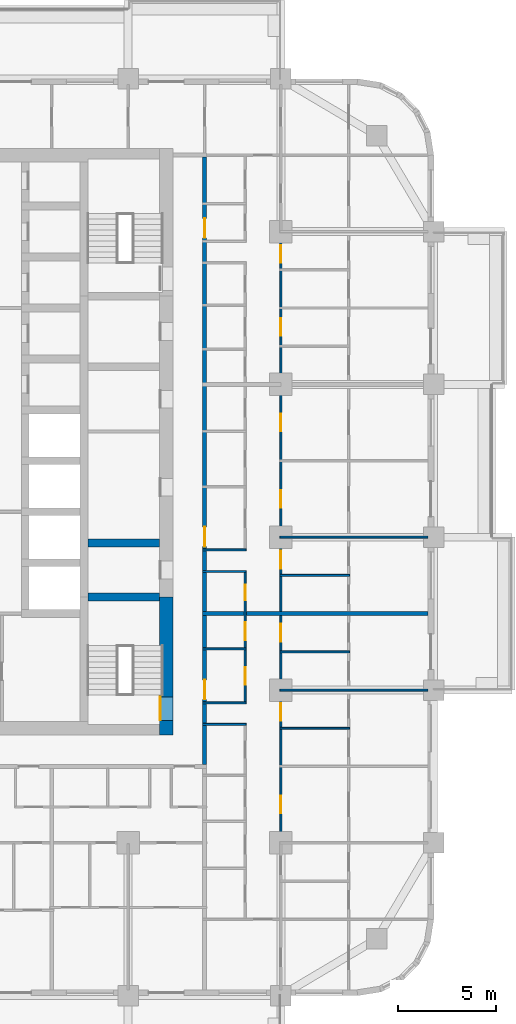
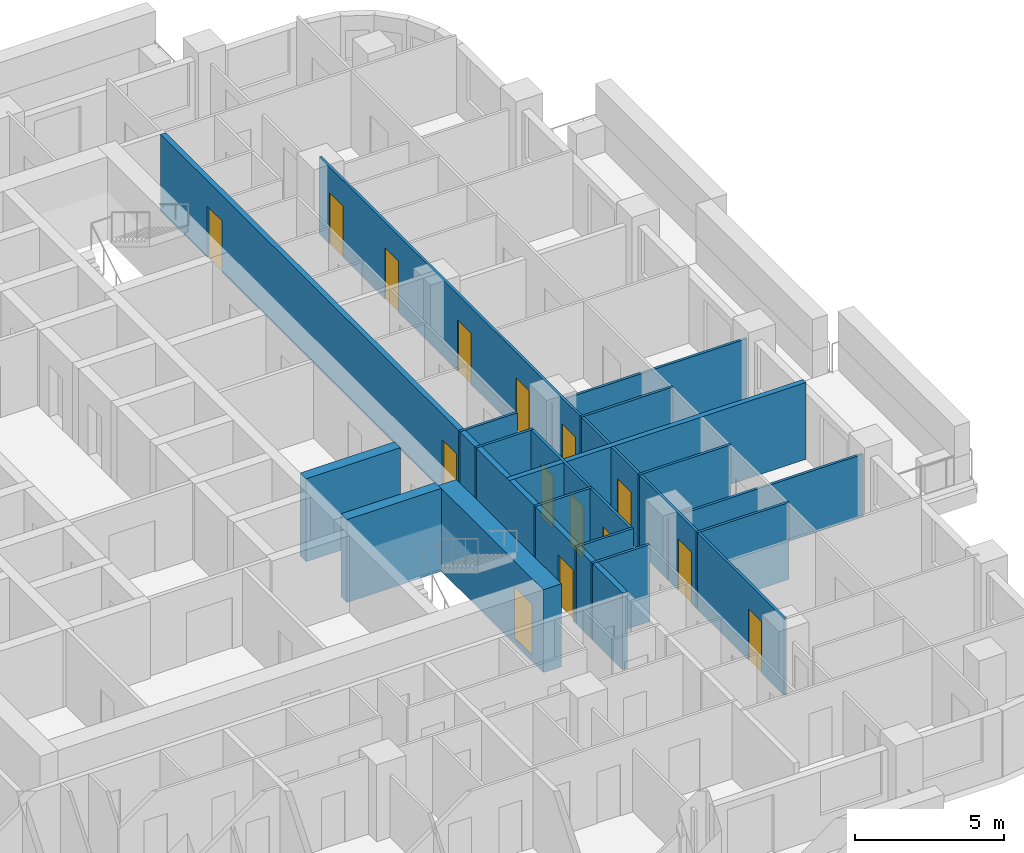
# One storey, part 8 of 17: 17 walls, 15 doors, 15 openings.
"""IFC4 building model written with IfcOpenShell, lengths in metres."""

from ifc_helpers import new_model, si_unit, direction, frame, frame_2d, origin, place, context, subcontext, project, spatial, rectangle, extrude, material, layer, layer_set, type_object, element, fill, save


model = new_model("IFC4")

# Units and contexts
model_context = context("Model", 3, precision=1e-05, world=origin(), true_north=direction((0.0, 1.0)))
body_context = subcontext(model_context, "Body", "Model", "MODEL_VIEW")
ifc_project = project(units=[si_unit("LENGTHUNIT", "METRE"), si_unit("AREAUNIT", "SQUARE_METRE"), si_unit("VOLUMEUNIT", "CUBIC_METRE"), si_unit("PLANEANGLEUNIT", "RADIAN"), si_unit("MASSUNIT", "GRAM", prefix="KILO")], contexts=[model_context])

# Site, building, storey
site_placement = place(None, origin())
site = spatial("IfcSite", under=ifc_project, at=site_placement, CompositionType="ELEMENT")
building_placement = place(site_placement, origin())
building = spatial("IfcBuilding", under=site, at=building_placement, Name="Ludao Terraces", CompositionType="ELEMENT")
storey_placement = place(building_placement, frame((0.0, 0.0, 39.89990234375)))
storey = spatial("IfcBuildingStorey", under=building, at=storey_placement, Name="L10", CompositionType="ELEMENT", Elevation=39.89990234375)

# Wall, opening, door
ifc_material_1 = material(Name="Concrete C70", Category="concrete")
ifc_layer_1 = layer(ifc_material_1, 0.699951171875)
ifc_layer_set_1 = layer_set([ifc_layer_1], Name="Core wall 700 C70")
wall_type_1 = type_object("IfcWallType", Name="Core wall 700 C70", PredefinedType="SOLIDWALL", material=ifc_layer_set_1)
wall_1_placement = place(storey_placement, frame((94.75, 54.89990234375, -0.25), z_axis=(0.0, 0.0, 1.0), x_axis=(0.0, 1.0, 0.0)))
wall_1 = element("IfcWall", 1, at=wall_1_placement, inside=storey, type_object=wall_type_1, Name="Core wall L10 outer-E-S3", PredefinedType="SOLIDWALL", context=body_context, shape_type="SweptSolid", body=[
    extrude(rectangle(XDim=7.050048828125, YDim=0.699951171875, at=frame_2d((3.52490234375, 0.0))), origin(), (0.0, 0.0, 1.0), 3.400146484375),
])
opening_1_placement = place(wall_1_placement, frame((0.75, 0.0, 0.25)))
opening_1 = element("IfcOpeningElement", 2, at=opening_1_placement, cuts=wall_1, Name="Opening R03-059", PredefinedType="OPENING", context=body_context, shape_type="SweptSolid", body=[
    extrude(rectangle(XDim=1.199951171875, YDim=2.10009765625, at=frame_2d((0.60009765625, 1.050048828125))), frame((0.0, 0.35986328125, 0.0), z_axis=(0.0, -1.0, 0.0), x_axis=(1.0, 0.0, 0.0)), (0.0, 0.0, 1.0), 0.719970703125),
])
ifc_material_2 = material(Name="Steel Q235", Category="steel")
door_type_1 = type_object("IfcDoorType", Name="INT Stair door 1200", OperationType="DOUBLE_DOOR_SINGLE_SWING", PredefinedType="DOOR", material=ifc_material_2)
door_1_placement = place(opening_1_placement, origin())
door_1 = element("IfcDoor", 3, at=door_1_placement, inside=storey, type_object=door_type_1, Name="DOOR 059", OperationType="DOUBLE_DOOR_SINGLE_SWING", OverallHeight=2.10009765625, OverallWidth=1.199951171875, PredefinedType="DOOR", context=body_context, shape_type="SweptSolid", body=[
    extrude(rectangle(XDim=1.199951171875, YDim=2.10009765625, at=frame_2d((0.60009765625, 1.050048828125))), frame((0.0, 0.3349609375, 0.0), z_axis=(0.0, -1.0, 0.0), x_axis=(1.0, 0.0, 0.0)), (0.0, 0.0, 1.0), 0.050048828125),
])
fill(opening_1, door_1)

# Wall, openings, doors
ifc_material_3 = material(Name="Autoclaved aerated concrete block B06 A3.5", Category="concrete")
ifc_layer_2 = layer(ifc_material_3, 0.199951171875)
ifc_layer_set_2 = layer_set([ifc_layer_2], Name="INT Entrance wall 200")
wall_type_2 = type_object("IfcWallType", Name="INT Entrance wall 200", PredefinedType="PARTITIONING", material=ifc_layer_set_2)
wall_2_placement = place(storey_placement, frame((96.699951171875, 53.400146484375, 0.0), z_axis=(0.0, 0.0, 1.0), x_axis=(0.0, 1.0, 0.0)))
wall_2 = element("IfcWall", 4, at=wall_2_placement, inside=storey, type_object=wall_type_2, Name="PW-L10-PW117", PredefinedType="PARTITIONING", context=body_context, shape_type="SweptSolid", body=[
    extrude(rectangle(XDim=31.0, YDim=0.199951171875, at=frame_2d((15.5, 0.0))), origin(), (0.0, 0.0, 1.0), 3.150146484375),
])
opening_2_placement = place(wall_2_placement, frame((3.324951171875, 0.0, 0.0)))
opening_2 = element("IfcOpeningElement", 5, at=opening_2_placement, cuts=wall_2, Name="Opening R03-061", PredefinedType="OPENING", context=body_context, shape_type="SweptSolid", body=[
    extrude(rectangle(XDim=1.0, YDim=2.10009765625, at=frame_2d((0.5, 1.050048828125))), frame((0.0, 0.10986328125, 0.0), z_axis=(0.0, -1.0, 0.0), x_axis=(1.0, 0.0, 0.0)), (0.0, 0.0, 1.0), 0.219970703125),
])
opening_3_placement = place(wall_2_placement, frame((11.125, 0.0, 0.0)))
opening_3 = element("IfcOpeningElement", 6, at=opening_3_placement, cuts=wall_2, Name="Opening R03-087", PredefinedType="OPENING", context=body_context, shape_type="SweptSolid", body=[
    extrude(rectangle(XDim=1.0, YDim=2.10009765625, at=frame_2d((0.5, 1.050048828125))), frame((0.0, 0.10986328125, 0.0), z_axis=(0.0, -1.0, 0.0), x_axis=(1.0, 0.0, 0.0)), (0.0, 0.0, 1.0), 0.219970703125),
])
opening_4_placement = place(wall_2_placement, frame((26.875, 0.0, 0.0)))
opening_4 = element("IfcOpeningElement", 7, at=opening_4_placement, cuts=wall_2, Name="Opening R03-142", PredefinedType="OPENING", context=body_context, shape_type="SweptSolid", body=[
    extrude(rectangle(XDim=1.0, YDim=2.10009765625, at=frame_2d((0.5, 1.050048828125))), frame((0.0, 0.10986328125, 0.0), z_axis=(0.0, -1.0, 0.0), x_axis=(1.0, 0.0, 0.0)), (0.0, 0.0, 1.0), 0.219970703125),
])
door_type_2 = type_object("IfcDoorType", Name="INT Flat entrance door 1000", OperationType="SINGLE_SWING_LEFT", PredefinedType="DOOR", material=ifc_material_2)
door_2_placement = place(opening_2_placement, origin())
door_2 = element("IfcDoor", 8, at=door_2_placement, inside=storey, type_object=door_type_2, Name="DOOR 061", OperationType="SINGLE_SWING_LEFT", OverallHeight=2.10009765625, OverallWidth=1.0, PredefinedType="DOOR", context=body_context, shape_type="SweptSolid", body=[
    extrude(rectangle(XDim=1.0, YDim=2.10009765625, at=frame_2d((0.5, 1.050048828125))), frame((0.0, 0.02490234375, 0.0), z_axis=(0.0, -1.0, 0.0), x_axis=(1.0, 0.0, 0.0)), (0.0, 0.0, 1.0), 0.050048828125),
])
fill(opening_2, door_2)
door_3_placement = place(opening_3_placement, origin())
door_3 = element("IfcDoor", 9, at=door_3_placement, inside=storey, type_object=door_type_2, Name="DOOR 087", OperationType="SINGLE_SWING_LEFT", OverallHeight=2.10009765625, OverallWidth=1.0, PredefinedType="DOOR", context=body_context, shape_type="SweptSolid", body=[
    extrude(rectangle(XDim=1.0, YDim=2.10009765625, at=frame_2d((0.5, 1.050048828125))), frame((0.0, 0.02490234375, 0.0), z_axis=(0.0, -1.0, 0.0), x_axis=(1.0, 0.0, 0.0)), (0.0, 0.0, 1.0), 0.050048828125),
])
fill(opening_3, door_3)
door_4_placement = place(opening_4_placement, origin())
door_4 = element("IfcDoor", 10, at=door_4_placement, inside=storey, type_object=door_type_2, Name="DOOR 142", OperationType="SINGLE_SWING_LEFT", OverallHeight=2.10009765625, OverallWidth=1.0, PredefinedType="DOOR", context=body_context, shape_type="SweptSolid", body=[
    extrude(rectangle(XDim=1.0, YDim=2.10009765625, at=frame_2d((0.5, 1.050048828125))), frame((0.0, 0.02490234375, 0.0), z_axis=(0.0, -1.0, 0.0), x_axis=(1.0, 0.0, 0.0)), (0.0, 0.0, 1.0), 0.050048828125),
])
fill(opening_4, door_4)

# Walls
ifc_material_4 = material(Name="Gypsum plasterboard", Category="gypsum")
ifc_layer_3 = layer(ifc_material_4, 0.012451171875, Category="gypsum")
ifc_material_5 = material(Name="Mineral wool")
ifc_layer_4 = layer(ifc_material_5, 0.06005859375, Name="insulation")
ifc_layer_5 = layer(ifc_material_2, 0.014892578125, Name="stud")
ifc_layer_6 = layer(ifc_material_4, 0.012451171875, Category="gypsum")
ifc_layer_set_3 = layer_set([ifc_layer_3, ifc_layer_4, ifc_layer_5, ifc_layer_6], Name="INT Partition 100")
wall_type_3 = type_object("IfcWallType", Name="INT Partition 100", PredefinedType="PARTITIONING", material=ifc_layer_set_3)
wall_3_placement = place(storey_placement, frame((100.550048828125, 55.25, 0.0), z_axis=(0.0, 0.0, 1.0), x_axis=(1.0, 0.0, 0.0)))
element("IfcWall", 11, at=wall_3_placement, inside=storey, type_object=wall_type_3, Name="PW-L10-PW024", PredefinedType="PARTITIONING", context=body_context, shape_type="SweptSolid", body=[
    extrude(rectangle(XDim=3.550048828125, YDim=0.10009765625, at=frame_2d((1.77490234375, 0.0))), origin(), (0.0, 0.0, 1.0), 3.150146484375),
])
for number, where, z_axis, x_axis, name in (
    (12, (96.60009765625, 55.449951171875, 0.0), (0.0, 0.0, 1.0), (1.0, 0.0, 0.0), "PW-L10-PW025"),
    (13, (96.60009765625, 56.550048828125, 0.0), (0.0, 0.0, 1.0), (1.0, 0.0, 0.0), "PW-L10-PW027"),
):
    element("IfcWall", number, at=place(storey_placement, frame(where, z_axis=z_axis, x_axis=x_axis)), inside=storey, type_object=wall_type_3, Name=name, PredefinedType="PARTITIONING", context=body_context, shape_type="SweptSolid", body=[
        extrude(rectangle(XDim=2.219970703125, YDim=0.10009765625, at=frame_2d((1.10986328125, 0.0))), origin(), (0.0, 0.0, 1.0), 3.150146484375),
    ])
wall_4_placement = place(storey_placement, frame((100.550048828125, 57.199951171875, 0.0), z_axis=(0.0, 0.0, 1.0), x_axis=(1.0, 0.0, 0.0)))
element("IfcWall", 14, at=wall_4_placement, inside=storey, type_object=wall_type_3, Name="PW-L10-PW029", PredefinedType="PARTITIONING", context=body_context, shape_type="SweptSolid", body=[
    extrude(rectangle(XDim=7.550048828125, YDim=0.10009765625, at=frame_2d((3.77490234375, 0.0))), origin(), (0.0, 0.0, 1.0), 2.550048828125),
])
wall_5_placement = place(storey_placement, frame((100.550048828125, 59.14990234375, 0.0), z_axis=(0.0, 0.0, 1.0), x_axis=(1.0, 0.0, 0.0)))
element("IfcWall", 15, at=wall_5_placement, inside=storey, type_object=wall_type_3, Name="PW-L10-PW033", PredefinedType="PARTITIONING", context=body_context, shape_type="SweptSolid", body=[
    extrude(rectangle(XDim=3.550048828125, YDim=0.10009765625, at=frame_2d((1.77490234375, 0.0))), origin(), (0.0, 0.0, 1.0), 3.150146484375),
])
wall_6_placement = place(storey_placement, frame((96.60009765625, 59.300048828125, 0.0), z_axis=(0.0, 0.0, 1.0), x_axis=(1.0, 0.0, 0.0)))
element("IfcWall", 16, at=wall_6_placement, inside=storey, type_object=wall_type_3, Name="PW-L10-PW034", PredefinedType="PARTITIONING", context=body_context, shape_type="SweptSolid", body=[
    extrude(rectangle(XDim=2.219970703125, YDim=0.10009765625, at=frame_2d((1.10986328125, 0.0))), origin(), (0.0, 0.0, 1.0), 3.150146484375),
])
wall_7_placement = place(storey_placement, frame((100.550048828125, 63.050048828125, 0.0), z_axis=(0.0, 0.0, 1.0), x_axis=(1.0, 0.0, 0.0)))
element("IfcWall", 17, at=wall_7_placement, inside=storey, type_object=wall_type_3, Name="PW-L10-PW039", PredefinedType="PARTITIONING", context=body_context, shape_type="SweptSolid", body=[
    extrude(rectangle(XDim=3.550048828125, YDim=0.10009765625, at=frame_2d((1.77490234375, 0.0))), origin(), (0.0, 0.0, 1.0), 3.150146484375),
])
for number, where, z_axis, x_axis, name in (
    (18, (96.60009765625, 63.25, 0.0), (0.0, 0.0, 1.0), (1.0, 0.0, 0.0), "PW-L10-PW040"),
    (19, (96.60009765625, 64.35009765625, 0.0), (0.0, 0.0, 1.0), (1.0, 0.0, 0.0), "PW-L10-PW042"),
):
    element("IfcWall", number, at=place(storey_placement, frame(where, z_axis=z_axis, x_axis=x_axis)), inside=storey, type_object=wall_type_3, Name=name, PredefinedType="PARTITIONING", context=body_context, shape_type="SweptSolid", body=[
        extrude(rectangle(XDim=2.219970703125, YDim=0.10009765625, at=frame_2d((1.10986328125, 0.0))), origin(), (0.0, 0.0, 1.0), 3.150146484375),
    ])
wall_8_placement = place(storey_placement, frame((100.550048828125, 65.0, 0.0), z_axis=(0.0, 0.0, 1.0), x_axis=(1.0, 0.0, 0.0)))
element("IfcWall", 20, at=wall_8_placement, inside=storey, type_object=wall_type_3, Name="PW-L10-PW044", PredefinedType="PARTITIONING", context=body_context, shape_type="SweptSolid", body=[
    extrude(rectangle(XDim=7.550048828125, YDim=0.10009765625, at=frame_2d((3.77490234375, 0.0))), origin(), (0.0, 0.0, 1.0), 2.550048828125),
])

# Wall, openings, doors
wall_9_placement = place(storey_placement, frame((98.77001953125, 56.60009765625, 0.0), z_axis=(0.0, 0.0, 1.0), x_axis=(0.0, 1.0, 0.0)))
wall_9 = element("IfcWall", 21, at=wall_9_placement, inside=storey, type_object=wall_type_3, Name="PW-L10-PW120", PredefinedType="PARTITIONING", context=body_context, shape_type="SweptSolid", body=[
    extrude(rectangle(XDim=6.60009765625, YDim=0.10009765625, at=frame_2d((3.300048828125, 0.0))), origin(), (0.0, 0.0, 1.0), 3.150146484375),
])
opening_5_placement = place(wall_9_placement, frame((0.875, 0.0, 0.0)))
opening_5 = element("IfcOpeningElement", 22, at=opening_5_placement, cuts=wall_9, Name="Opening R03-062", PredefinedType="OPENING", context=body_context, shape_type="SweptSolid", body=[
    extrude(rectangle(XDim=0.89990234375, YDim=2.10009765625, at=frame_2d((0.449951171875, 1.050048828125))), frame((0.0, 0.06005859375, 0.0), z_axis=(0.0, -1.0, 0.0), x_axis=(1.0, 0.0, 0.0)), (0.0, 0.0, 1.0), 0.1201171875),
])
opening_6_placement = place(wall_9_placement, frame((3.14990234375, 0.0, 0.0)))
opening_6 = element("IfcOpeningElement", 23, at=opening_6_placement, cuts=wall_9, Name="Opening R03-073", PredefinedType="OPENING", context=body_context, shape_type="SweptSolid", body=[
    extrude(rectangle(XDim=0.89990234375, YDim=2.10009765625, at=frame_2d((0.449951171875, 1.050048828125))), frame((0.0, 0.06005859375, 0.0), z_axis=(0.0, -1.0, 0.0), x_axis=(1.0, 0.0, 0.0)), (0.0, 0.0, 1.0), 0.1201171875),
])
opening_7_placement = place(wall_9_placement, frame((5.175048828125, 0.0, 0.0)))
opening_7 = element("IfcOpeningElement", 24, at=opening_7_placement, cuts=wall_9, Name="Opening R03-077", PredefinedType="OPENING", context=body_context, shape_type="SweptSolid", body=[
    extrude(rectangle(XDim=0.800048828125, YDim=2.10009765625, at=frame_2d((0.39990234375, 1.050048828125))), frame((0.0, 0.06005859375, 0.0), z_axis=(0.0, -1.0, 0.0), x_axis=(1.0, 0.0, 0.0)), (0.0, 0.0, 1.0), 0.1201171875),
])
ifc_material_6 = material(Name="Timber door leaf", Category="wood")
door_type_3 = type_object("IfcDoorType", Name="INT Bathroom door 900", OperationType="SINGLE_SWING_LEFT", PredefinedType="DOOR", material=ifc_material_6)
door_5_placement = place(opening_6_placement, origin())
door_5 = element("IfcDoor", 25, at=door_5_placement, inside=storey, type_object=door_type_3, Name="DOOR 073", OperationType="SINGLE_SWING_RIGHT", OverallHeight=2.10009765625, OverallWidth=0.89990234375, PredefinedType="DOOR", context=body_context, shape_type="SweptSolid", body=[
    extrude(rectangle(XDim=0.89990234375, YDim=2.10009765625, at=frame_2d((0.449951171875, 1.050048828125))), frame((0.0, 0.02490234375, 0.0), z_axis=(0.0, -1.0, 0.0), x_axis=(1.0, 0.0, 0.0)), (0.0, 0.0, 1.0), 0.050048828125),
])
fill(opening_6, door_5)
door_type_4 = type_object("IfcDoorType", Name="INT Room door 900", OperationType="SINGLE_SWING_LEFT", PredefinedType="DOOR", material=ifc_material_6)
door_6_placement = place(opening_5_placement, origin())
door_6 = element("IfcDoor", 26, at=door_6_placement, inside=storey, type_object=door_type_4, Name="DOOR 062", OperationType="SINGLE_SWING_RIGHT", OverallHeight=2.10009765625, OverallWidth=0.89990234375, PredefinedType="DOOR", context=body_context, shape_type="SweptSolid", body=[
    extrude(rectangle(XDim=0.89990234375, YDim=2.10009765625, at=frame_2d((0.449951171875, 1.050048828125))), frame((0.0, 0.02490234375, 0.0), z_axis=(0.0, -1.0, 0.0), x_axis=(1.0, 0.0, 0.0)), (0.0, 0.0, 1.0), 0.050048828125),
])
fill(opening_5, door_6)
door_type_5 = type_object("IfcDoorType", Name="INT Store door 800", OperationType="SINGLE_SWING_LEFT", PredefinedType="DOOR", material=ifc_material_6)
door_7_placement = place(opening_7_placement, origin())
door_7 = element("IfcDoor", 27, at=door_7_placement, inside=storey, type_object=door_type_5, Name="DOOR 077", OperationType="SINGLE_SWING_LEFT", OverallHeight=2.10009765625, OverallWidth=0.800048828125, PredefinedType="DOOR", context=body_context, shape_type="SweptSolid", body=[
    extrude(rectangle(XDim=0.800048828125, YDim=2.10009765625, at=frame_2d((0.39990234375, 1.050048828125))), frame((0.0, 0.02490234375, 0.0), z_axis=(0.0, -1.0, 0.0), x_axis=(1.0, 0.0, 0.0)), (0.0, 0.0, 1.0), 0.050048828125),
])
fill(opening_7, door_7)

wall_10_placement = place(storey_placement, frame((100.60009765625, 49.39990234375, 0.0), z_axis=(0.0, 0.0, 1.0), x_axis=(0.0, 1.0, 0.0)))
wall_10 = element("IfcWall", 28, at=wall_10_placement, inside=storey, type_object=wall_type_3, Name="PW-L10-PW123-2", PredefinedType="PARTITIONING", context=body_context, shape_type="SweptSolid", body=[
    extrude(rectangle(XDim=31.2001953125, YDim=0.10009765625, at=frame_2d((15.60009765625, 0.0))), origin(), (0.0, 0.0, 1.0), 3.150146484375),
])
opening_8_placement = place(wall_10_placement, frame((1.500244140625, 0.0, 0.0)))
opening_8 = element("IfcOpeningElement", 29, at=opening_8_placement, cuts=wall_10, Name="Opening R03-043", PredefinedType="OPENING", context=body_context, shape_type="SweptSolid", body=[
    extrude(rectangle(XDim=0.89990234375, YDim=2.10009765625, at=frame_2d((0.449951171875, 1.050048828125))), frame((0.0, 0.06005859375, 0.0), z_axis=(0.0, -1.0, 0.0), x_axis=(1.0, 0.0, 0.0)), (0.0, 0.0, 1.0), 0.1201171875),
])
opening_9_placement = place(wall_10_placement, frame((6.22509765625, 0.0, 0.0)))
opening_9 = element("IfcOpeningElement", 30, at=opening_9_placement, cuts=wall_10, Name="Opening R03-056", PredefinedType="OPENING", context=body_context, shape_type="SweptSolid", body=[
    extrude(rectangle(XDim=0.89990234375, YDim=2.10009765625, at=frame_2d((0.449951171875, 1.050048828125))), frame((0.0, 0.06005859375, 0.0), z_axis=(0.0, -1.0, 0.0), x_axis=(1.0, 0.0, 0.0)), (0.0, 0.0, 1.0), 0.1201171875),
])
opening_10_placement = place(wall_10_placement, frame((10.275146484375, 0.0, 0.0)))
opening_10 = element("IfcOpeningElement", 31, at=opening_10_placement, cuts=wall_10, Name="Opening R03-071", PredefinedType="OPENING", context=body_context, shape_type="SweptSolid", body=[
    extrude(rectangle(XDim=0.89990234375, YDim=2.10009765625, at=frame_2d((0.449951171875, 1.050048828125))), frame((0.0, 0.06005859375, 0.0), z_axis=(0.0, -1.0, 0.0), x_axis=(1.0, 0.0, 0.0)), (0.0, 0.0, 1.0), 0.1201171875),
])
opening_11_placement = place(wall_10_placement, frame((14.000244140625, 0.0, 0.0)))
opening_11 = element("IfcOpeningElement", 32, at=opening_11_placement, cuts=wall_10, Name="Opening R03-083", PredefinedType="OPENING", context=body_context, shape_type="SweptSolid", body=[
    extrude(rectangle(XDim=0.89990234375, YDim=2.10009765625, at=frame_2d((0.449951171875, 1.050048828125))), frame((0.0, 0.06005859375, 0.0), z_axis=(0.0, -1.0, 0.0), x_axis=(1.0, 0.0, 0.0)), (0.0, 0.0, 1.0), 0.1201171875),
])
opening_12_placement = place(wall_10_placement, frame((17.10009765625, 0.0, 0.0)))
opening_12 = element("IfcOpeningElement", 33, at=opening_12_placement, cuts=wall_10, Name="Opening R03-092", PredefinedType="OPENING", context=body_context, shape_type="SweptSolid", body=[
    extrude(rectangle(XDim=0.89990234375, YDim=2.10009765625, at=frame_2d((0.449951171875, 1.050048828125))), frame((0.0, 0.06005859375, 0.0), z_axis=(0.0, -1.0, 0.0), x_axis=(1.0, 0.0, 0.0)), (0.0, 0.0, 1.0), 0.1201171875),
])
opening_13_placement = place(wall_10_placement, frame((21.000244140625, 0.0, 0.0)))
opening_13 = element("IfcOpeningElement", 34, at=opening_13_placement, cuts=wall_10, Name="Opening R03-105", PredefinedType="OPENING", context=body_context, shape_type="SweptSolid", body=[
    extrude(rectangle(XDim=0.89990234375, YDim=2.10009765625, at=frame_2d((0.449951171875, 1.050048828125))), frame((0.0, 0.06005859375, 0.0), z_axis=(0.0, -1.0, 0.0), x_axis=(1.0, 0.0, 0.0)), (0.0, 0.0, 1.0), 0.1201171875),
])
opening_14_placement = place(wall_10_placement, frame((25.875244140625, 0.0, 0.0)))
opening_14 = element("IfcOpeningElement", 35, at=opening_14_placement, cuts=wall_10, Name="Opening R03-125", PredefinedType="OPENING", context=body_context, shape_type="SweptSolid", body=[
    extrude(rectangle(XDim=0.89990234375, YDim=2.10009765625, at=frame_2d((0.449951171875, 1.050048828125))), frame((0.0, 0.06005859375, 0.0), z_axis=(0.0, -1.0, 0.0), x_axis=(1.0, 0.0, 0.0)), (0.0, 0.0, 1.0), 0.1201171875),
])
opening_15_placement = place(wall_10_placement, frame((29.60009765625, 0.0, 0.0)))
opening_15 = element("IfcOpeningElement", 36, at=opening_15_placement, cuts=wall_10, Name="Opening R03-137", PredefinedType="OPENING", context=body_context, shape_type="SweptSolid", body=[
    extrude(rectangle(XDim=0.89990234375, YDim=2.10009765625, at=frame_2d((0.449951171875, 1.050048828125))), frame((0.0, 0.06005859375, 0.0), z_axis=(0.0, -1.0, 0.0), x_axis=(1.0, 0.0, 0.0)), (0.0, 0.0, 1.0), 0.1201171875),
])
door_8_placement = place(opening_8_placement, origin())
door_8 = element("IfcDoor", 37, at=door_8_placement, inside=storey, type_object=door_type_4, Name="DOOR 043", OperationType="SINGLE_SWING_LEFT", OverallHeight=2.10009765625, OverallWidth=0.89990234375, PredefinedType="DOOR", context=body_context, shape_type="SweptSolid", body=[
    extrude(rectangle(XDim=0.89990234375, YDim=2.10009765625, at=frame_2d((0.449951171875, 1.050048828125))), frame((0.0, 0.02490234375, 0.0), z_axis=(0.0, -1.0, 0.0), x_axis=(1.0, 0.0, 0.0)), (0.0, 0.0, 1.0), 0.050048828125),
])
fill(opening_8, door_8)
door_9_placement = place(opening_9_placement, origin())
door_9 = element("IfcDoor", 38, at=door_9_placement, inside=storey, type_object=door_type_4, Name="DOOR 056", OperationType="SINGLE_SWING_RIGHT", OverallHeight=2.10009765625, OverallWidth=0.89990234375, PredefinedType="DOOR", context=body_context, shape_type="SweptSolid", body=[
    extrude(rectangle(XDim=0.89990234375, YDim=2.10009765625, at=frame_2d((0.449951171875, 1.050048828125))), frame((0.0, 0.02490234375, 0.0), z_axis=(0.0, -1.0, 0.0), x_axis=(1.0, 0.0, 0.0)), (0.0, 0.0, 1.0), 0.050048828125),
])
fill(opening_9, door_9)
door_10_placement = place(opening_10_placement, origin())
door_10 = element("IfcDoor", 39, at=door_10_placement, inside=storey, type_object=door_type_4, Name="DOOR 071", OperationType="SINGLE_SWING_RIGHT", OverallHeight=2.10009765625, OverallWidth=0.89990234375, PredefinedType="DOOR", context=body_context, shape_type="SweptSolid", body=[
    extrude(rectangle(XDim=0.89990234375, YDim=2.10009765625, at=frame_2d((0.449951171875, 1.050048828125))), frame((0.0, 0.02490234375, 0.0), z_axis=(0.0, -1.0, 0.0), x_axis=(1.0, 0.0, 0.0)), (0.0, 0.0, 1.0), 0.050048828125),
])
fill(opening_10, door_10)
door_11_placement = place(opening_11_placement, origin())
door_11 = element("IfcDoor", 40, at=door_11_placement, inside=storey, type_object=door_type_4, Name="DOOR 083", OperationType="SINGLE_SWING_RIGHT", OverallHeight=2.10009765625, OverallWidth=0.89990234375, PredefinedType="DOOR", context=body_context, shape_type="SweptSolid", body=[
    extrude(rectangle(XDim=0.89990234375, YDim=2.10009765625, at=frame_2d((0.449951171875, 1.050048828125))), frame((0.0, 0.02490234375, 0.0), z_axis=(0.0, -1.0, 0.0), x_axis=(1.0, 0.0, 0.0)), (0.0, 0.0, 1.0), 0.050048828125),
])
fill(opening_11, door_11)
door_12_placement = place(opening_12_placement, origin())
door_12 = element("IfcDoor", 41, at=door_12_placement, inside=storey, type_object=door_type_4, Name="DOOR 092", OperationType="SINGLE_SWING_RIGHT", OverallHeight=2.10009765625, OverallWidth=0.89990234375, PredefinedType="DOOR", context=body_context, shape_type="SweptSolid", body=[
    extrude(rectangle(XDim=0.89990234375, YDim=2.10009765625, at=frame_2d((0.449951171875, 1.050048828125))), frame((0.0, 0.02490234375, 0.0), z_axis=(0.0, -1.0, 0.0), x_axis=(1.0, 0.0, 0.0)), (0.0, 0.0, 1.0), 0.050048828125),
])
fill(opening_12, door_12)
door_13_placement = place(opening_13_placement, origin())
door_13 = element("IfcDoor", 42, at=door_13_placement, inside=storey, type_object=door_type_4, Name="DOOR 105", OperationType="SINGLE_SWING_LEFT", OverallHeight=2.10009765625, OverallWidth=0.89990234375, PredefinedType="DOOR", context=body_context, shape_type="SweptSolid", body=[
    extrude(rectangle(XDim=0.89990234375, YDim=2.10009765625, at=frame_2d((0.449951171875, 1.050048828125))), frame((0.0, 0.02490234375, 0.0), z_axis=(0.0, -1.0, 0.0), x_axis=(1.0, 0.0, 0.0)), (0.0, 0.0, 1.0), 0.050048828125),
])
fill(opening_13, door_13)
door_14_placement = place(opening_14_placement, origin())
door_14 = element("IfcDoor", 43, at=door_14_placement, inside=storey, type_object=door_type_4, Name="DOOR 125", OperationType="SINGLE_SWING_RIGHT", OverallHeight=2.10009765625, OverallWidth=0.89990234375, PredefinedType="DOOR", context=body_context, shape_type="SweptSolid", body=[
    extrude(rectangle(XDim=0.89990234375, YDim=2.10009765625, at=frame_2d((0.449951171875, 1.050048828125))), frame((0.0, 0.02490234375, 0.0), z_axis=(0.0, -1.0, 0.0), x_axis=(1.0, 0.0, 0.0)), (0.0, 0.0, 1.0), 0.050048828125),
])
fill(opening_14, door_14)
door_15_placement = place(opening_15_placement, origin())
door_15 = element("IfcDoor", 44, at=door_15_placement, inside=storey, type_object=door_type_4, Name="DOOR 137", OperationType="SINGLE_SWING_RIGHT", OverallHeight=2.10009765625, OverallWidth=0.89990234375, PredefinedType="DOOR", context=body_context, shape_type="SweptSolid", body=[
    extrude(rectangle(XDim=0.89990234375, YDim=2.10009765625, at=frame_2d((0.449951171875, 1.050048828125))), frame((0.0, 0.02490234375, 0.0), z_axis=(0.0, -1.0, 0.0), x_axis=(1.0, 0.0, 0.0)), (0.0, 0.0, 1.0), 0.050048828125),
])
fill(opening_15, door_15)

# Walls
ifc_layer_7 = layer(ifc_material_3, 0.199951171875)
ifc_layer_set_4 = layer_set([ifc_layer_7], Name="INT Party wall 200")
wall_type_4 = type_object("IfcWallType", Name="INT Party wall 200", PredefinedType="PARTITIONING", material=ifc_layer_set_4)
wall_11_placement = place(storey_placement, frame((96.60009765625, 61.10009765625, 0.0), z_axis=(0.0, 0.0, 1.0), x_axis=(1.0, 0.0, 0.0)))
element("IfcWall", 45, at=wall_11_placement, inside=storey, type_object=wall_type_4, Name="PW-L10-PW037", PredefinedType="PARTITIONING", context=body_context, shape_type="SweptSolid", body=[
    extrude(rectangle(XDim=11.5, YDim=0.199951171875, at=frame_2d((5.75, 0.0))), origin(), (0.0, 0.0, 1.0), 3.150146484375),
])
ifc_material_7 = material(Name="Concrete C60", Category="concrete")
ifc_layer_8 = layer(ifc_material_7, 0.39990234375)
ifc_layer_set_5 = layer_set([ifc_layer_8], Name="Shaft wall 400 C60")
wall_type_5 = type_object("IfcWallType", Name="Shaft wall 400 C60", PredefinedType="SOLIDWALL", material=ifc_layer_set_5)
for number, where, z_axis, x_axis, name in (
    (46, (90.75, 61.949951171875, -0.25), (0.0, 0.0, 1.0), (1.0, 0.0, 0.0), "Core wall L10 hall-E"),
    (47, (90.75, 64.699951171875, -0.25), (0.0, 0.0, 1.0), (1.0, 0.0, 0.0), "Core wall L10 riser-a-E"),
):
    element("IfcWall", number, at=place(storey_placement, frame(where, z_axis=z_axis, x_axis=x_axis)), inside=storey, type_object=wall_type_5, Name=name, PredefinedType="SOLIDWALL", context=body_context, shape_type="SweptSolid", body=[
        extrude(rectangle(XDim=3.64990234375, YDim=0.39990234375, at=frame_2d((1.824951171875, 0.0))), origin(), (0.0, 0.0, 1.0), 3.400146484375),
    ])

save(model, "model.ifc")
